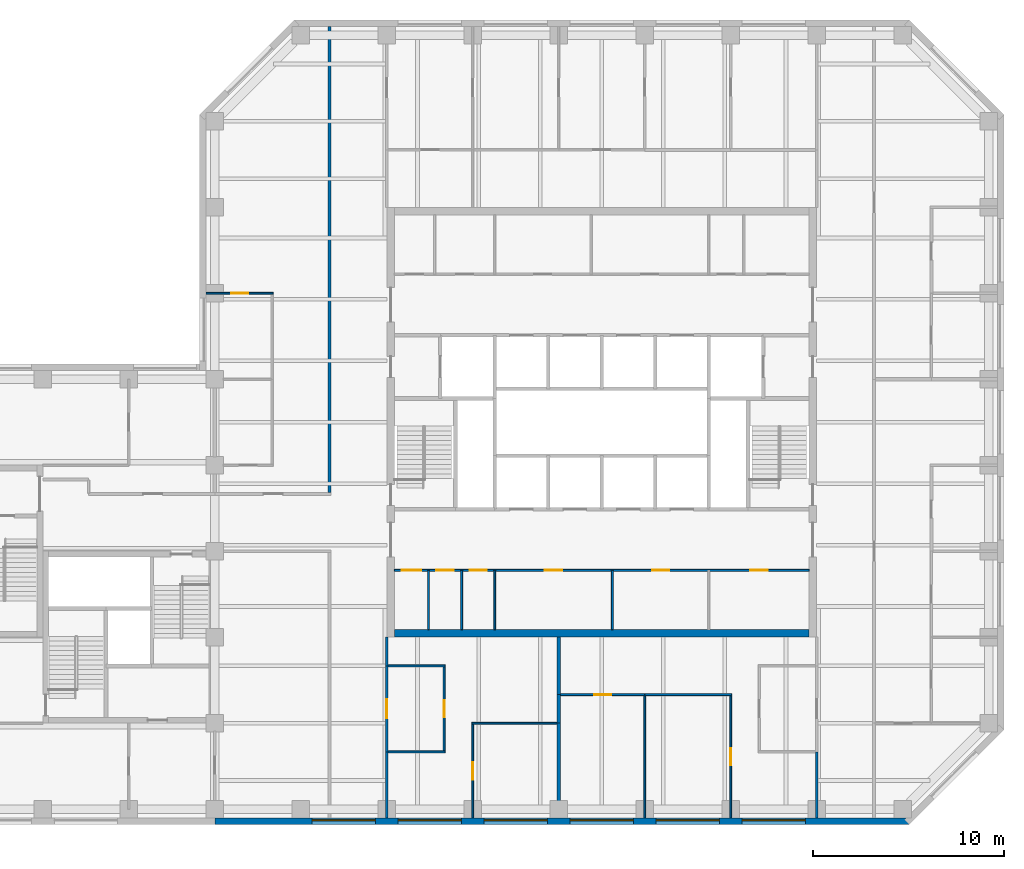
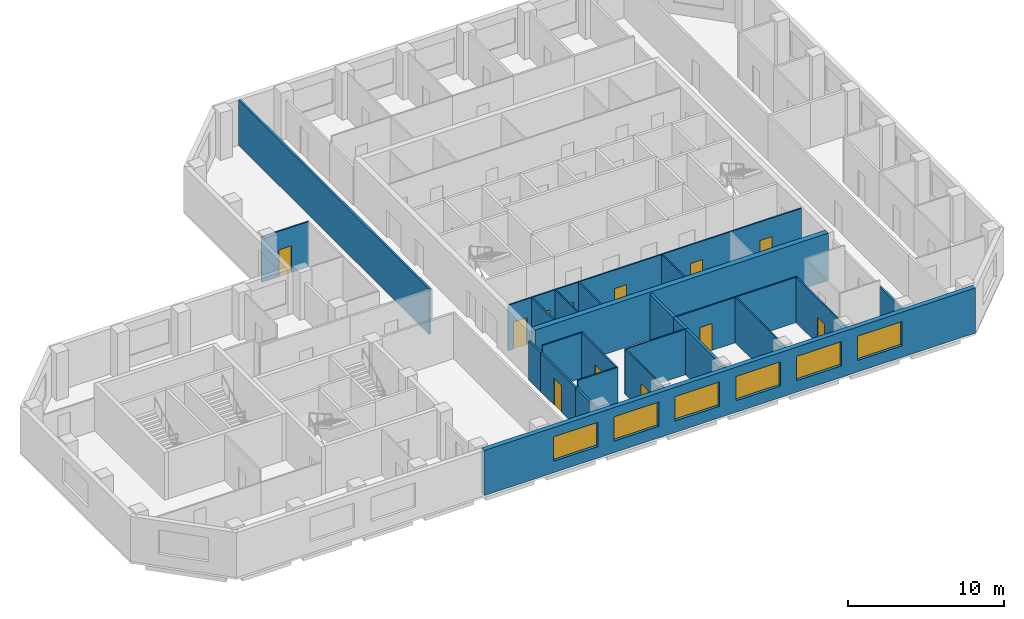
# One storey, part 4 of 9: 25 walls, 12 doors, 6 windows, 18 openings.
"""IFC4 building model written with IfcOpenShell, lengths in metres."""

import ifcopenshell
import ifcopenshell.guid

model = None  # the IFC model being written
_history = None  # IfcOwnerHistory: only IFC2X3 demands one
_inside = {}  # id of a spatial element -> (the spatial element, [elements in it])
_under = {}  # id of a project, library or spatial element -> (it, [spatial elements below it])
_declared = {}  # id of a project -> (the project, [libraries it declares])
_typed = {}  # id of a type object -> (the type object, [elements of that type])
_made_of = {}  # id of a material, layer set ... -> (it, [elements and type objects made of it])


def new_model(schema):
    """Start an empty IFC model of exactly this schema.

    Asked for "IFC4X3", IfcOpenShell would pick the latest addendum, in which some entities
    have other attributes; the version numbers below select the first issue.
    IFC2X3 requires an IfcOwnerHistory on every rooted entity: one is made here for all.
    """
    global model, _history
    if schema == "IFC4X3":
        model = ifcopenshell.file(schema_version=(4, 3, 0, 0))
    else:
        model = ifcopenshell.file(schema=schema)
    _inside.clear()
    _under.clear()
    _declared.clear()
    _typed.clear()
    _made_of.clear()
    _history = None
    if model.schema == "IFC2X3":
        org = make("IfcOrganization", Name="unknown")
        user = make(
            "IfcPersonAndOrganization",
            ThePerson=make("IfcPerson", FamilyName="unknown"),
            TheOrganization=org,
        )
        app = make(
            "IfcApplication",
            ApplicationDeveloper=org,
            Version="unknown",
            ApplicationFullName="unknown",
            ApplicationIdentifier="unknown",
        )
        _history = make(
            "IfcOwnerHistory",
            OwningUser=user,
            OwningApplication=app,
            ChangeAction="ADDED",
            CreationDate=0,
        )
    return model


def make(cls, **values):
    """One entity of the class cls with the attributes given. An attribute that is None is left unset."""
    return model.create_entity(
        cls, **{name: value for name, value in values.items() if value is not None}
    )


def rooted(cls, **values):
    """An entity with a GlobalId (a new one), such as an element, a storey or a relation."""
    return make(cls, GlobalId=ifcopenshell.guid.new(), OwnerHistory=_history, **values)


def si_unit(unit_type, name, prefix=None):
    """IfcSIUnit, for example si_unit("LENGTHUNIT", "METRE", prefix="MILLI")."""
    return make("IfcSIUnit", UnitType=unit_type, Prefix=prefix, Name=name)


def assignment(units):
    """IfcUnitAssignment: the units of a project."""
    return None if units is None else make("IfcUnitAssignment", Units=units)


def point(xyz):
    """IfcCartesianPoint."""
    return None if xyz is None else make("IfcCartesianPoint", Coordinates=xyz)


def direction(xyz):
    """IfcDirection."""
    return None if xyz is None else make("IfcDirection", DirectionRatios=xyz)


def frame(location, z_axis=None, x_axis=None):
    """IfcAxis2Placement3D, a coordinate frame: its origin and axes. An axis left out is left unset."""
    return make(
        "IfcAxis2Placement3D",
        Location=point(location),
        Axis=direction(z_axis),
        RefDirection=direction(x_axis),
    )


def frame_2d(location, x_axis=None):
    """IfcAxis2Placement2D, a coordinate frame in the plane: its origin and x axis."""
    return make(
        "IfcAxis2Placement2D", Location=point(location), RefDirection=direction(x_axis)
    )


def origin():
    """The frame at (0, 0, 0) with its axes left unset."""
    return frame((0.0, 0.0, 0.0))


def place(relative_to, where):
    """IfcLocalPlacement: puts the frame where relative to a parent placement (None: the world)."""
    return make(
        "IfcLocalPlacement", PlacementRelTo=relative_to, RelativePlacement=where
    )


def context(
    kind, dimensions, precision=None, world=None, true_north=None, identifier=None
):
    """IfcGeometricRepresentationContext, for example the 3D "Model" context."""
    return make(
        "IfcGeometricRepresentationContext",
        ContextIdentifier=identifier,
        ContextType=kind,
        CoordinateSpaceDimension=dimensions,
        Precision=precision,
        WorldCoordinateSystem=world,
        TrueNorth=true_north,
    )


def subcontext(parent, identifier, kind, view, scale=None):
    """IfcGeometricRepresentationSubContext, for example "Body" below "Model"."""
    return make(
        "IfcGeometricRepresentationSubContext",
        ContextIdentifier=identifier,
        ContextType=kind,
        ParentContext=parent,
        TargetScale=scale,
        TargetView=view,
    )


def project(units=None, contexts=None):
    """IfcProject with its units and contexts."""
    return rooted(
        "IfcProject",
        Name="project",
        RepresentationContexts=contexts,
        UnitsInContext=assignment(units),
    )


def spatial(cls, under=None, at=None, **own):
    """A site, building, storey or space (cls), placed at a placement, below another one or the project."""
    s = rooted(cls, ObjectPlacement=at, **own)
    if under is not None:
        _under.setdefault(under.id(), (under, []))[1].append(s)
    return s


def profile(cls, at=None, kind="AREA", **sizes):
    """A parametric profile (cls). Its sizes go by their IFC names, for example OverallWidth=200.0."""
    return make(cls, ProfileType=kind, Position=at, **sizes)


def rectangle(**sizes):
    """IfcRectangleProfileDef."""
    return profile("IfcRectangleProfileDef", **sizes)


def extrude(swept, where, along, depth):
    """IfcExtrudedAreaSolid: the profile swept, set in the frame where, extruded along a direction by depth."""
    return make(
        "IfcExtrudedAreaSolid",
        SweptArea=swept,
        Position=where,
        ExtrudedDirection=direction(along),
        Depth=depth,
    )


def shape(context_of_items, identifier, shape_type, items):
    """IfcShapeRepresentation: the items that make up one representation, for example the "Body"."""
    return make(
        "IfcShapeRepresentation",
        ContextOfItems=context_of_items,
        RepresentationIdentifier=identifier,
        RepresentationType=shape_type,
        Items=items,
    )


def material(Name=None, Category=None):
    """IfcMaterial."""
    return make("IfcMaterial", Name=Name, Category=Category)


def layer(
    of_material, thickness, ventilated=None, Name=None, Category=None, Priority=None
):
    """IfcMaterialLayer: one layer of a wall or slab, of a material (None: an air gap)."""
    return make(
        "IfcMaterialLayer",
        Material=of_material,
        LayerThickness=thickness,
        IsVentilated=ventilated,
        Name=Name,
        Category=Category,
        Priority=Priority,
    )


def layer_set(layers, Name=None):
    """IfcMaterialLayerSet."""
    return make("IfcMaterialLayerSet", MaterialLayers=layers, LayerSetName=Name)


def constituent(of_material, Name=None, Category=None, fraction=None):
    """IfcMaterialConstituent: one of the materials an element consists of."""
    return make(
        "IfcMaterialConstituent",
        Name=Name,
        Material=of_material,
        Fraction=fraction,
        Category=Category,
    )


def constituent_set(constituents=None, Name=None):
    """IfcMaterialConstituentSet."""
    return make(
        "IfcMaterialConstituentSet", Name=Name, MaterialConstituents=constituents
    )


def made_of(thing, what):
    """Note that an element or type object is made of a material, layer set ...; save() writes the relation."""
    if what is not None:
        _made_of.setdefault(what.id(), (what, []))[1].append(thing)
    return thing


def type_object(cls, material=None, **own):
    """A type object (cls), such as IfcWallType, which elements share."""
    return made_of(rooted(cls, **own), material)


def element(
    cls,
    number,
    at=None,
    inside=None,
    cuts=None,
    type_object=None,
    material=None,
    context=None,
    identifier="Body",
    shape_type=None,
    held_by="IfcProductDefinitionShape",
    body=None,
    shapes=None,
    **own,
):
    """One element of the class cls, such as IfcWall. Its Tag is "e" and its number.

    at: its placement. inside: the storey or other place that contains it. cuts: it is an
    opening in that element (IfcRelVoidsElement). A single representation is given by context,
    identifier, shape_type and body (its items); several are given by shapes. held_by: the class
    of the entity that holds the representations. save() writes the other relations.
    """
    e = rooted(cls, Tag="e%d" % number, ObjectPlacement=at, **own)
    if body is not None:
        shapes = [shape(context, identifier, shape_type, body)]
    if shapes is not None:
        e.Representation = make(held_by, Representations=shapes)
    if inside is not None:
        _inside.setdefault(inside.id(), (inside, []))[1].append(e)
    if cuts is not None:
        rooted(
            "IfcRelVoidsElement", RelatingBuildingElement=cuts, RelatedOpeningElement=e
        )
    if type_object is not None:
        _typed.setdefault(type_object.id(), (type_object, []))[1].append(e)
    return made_of(e, material)


def fill(opening, filler):
    """IfcRelFillsElement: the door or window that sits in an opening."""
    return rooted(
        "IfcRelFillsElement",
        RelatingOpeningElement=opening,
        RelatedBuildingElement=filler,
    )


def aggregate(whole, parts):
    """IfcRelAggregates: a whole, such as a stair, and the parts it consists of."""
    return rooted("IfcRelAggregates", RelatingObject=whole, RelatedObjects=parts)


def save(model, path):
    """Write the relations noted so far, then the file.

    IfcRelAggregates (storeys below a building ...), IfcRelContainedInSpatialStructure (elements
    in a storey), IfcRelDefinesByType, IfcRelAssociatesMaterial and IfcRelDeclares: one each for
    every whole, place, type object, material and project.
    """
    for whole, parts in _under.values():
        aggregate(whole, parts)
    for where, things in _inside.values():
        rooted(
            "IfcRelContainedInSpatialStructure",
            RelatedElements=things,
            RelatingStructure=where,
        )
    for kind, things in _typed.values():
        rooted("IfcRelDefinesByType", RelatedObjects=things, RelatingType=kind)
    for what, things in _made_of.values():
        rooted("IfcRelAssociatesMaterial", RelatedObjects=things, RelatingMaterial=what)
    for by, libraries in _declared.values():
        rooted("IfcRelDeclares", RelatingContext=by, RelatedDefinitions=libraries)
    model.write(path)


model = new_model("IFC4")

# Units and contexts
model_context = context("Model", 3, precision=1e-05, world=origin(), true_north=direction((0.0, 1.0)))
body_context = subcontext(model_context, "Body", "Model", "MODEL_VIEW")
ifc_project = project(units=[si_unit("LENGTHUNIT", "METRE"), si_unit("AREAUNIT", "SQUARE_METRE"), si_unit("VOLUMEUNIT", "CUBIC_METRE"), si_unit("PLANEANGLEUNIT", "RADIAN"), si_unit("MASSUNIT", "GRAM", prefix="KILO")], contexts=[model_context])

# Site, building, storey
site_placement = place(None, origin())
site = spatial("IfcSite", under=ifc_project, at=site_placement, CompositionType="ELEMENT")
building_placement = place(site_placement, origin())
building = spatial("IfcBuilding", under=site, at=building_placement, Name="Quoin Convention Tower", CompositionType="ELEMENT")
storey_placement = place(building_placement, frame((0.0, 0.0, 237.800048828125)))
storey = spatial("IfcBuildingStorey", under=building, at=storey_placement, Name="L62", CompositionType="ELEMENT", Elevation=237.800048828125)

# Wall, openings, windows
ifc_material_1 = material(Name="Brick masonry", Category="masonry")
ifc_layer_1 = layer(ifc_material_1, 0.35009765625)
ifc_layer_set_1 = layer_set([ifc_layer_1], Name="Brick masonry")
wall_type_1 = type_object("IfcWallType", Name="Brick facade wall", PredefinedType="STANDARD", material=ifc_layer_set_1)
wall_1_placement = place(storey_placement, frame((36.0, 39.875, 0.0), z_axis=(0.0, 0.0, 1.0), x_axis=(1.0, 0.0, 0.0)))
wall_1 = element("IfcWall", 1, at=wall_1_placement, inside=storey, type_object=wall_type_1, Name="fw-L62-36000_40500", PredefinedType="STANDARD", context=body_context, shape_type="SweptSolid", body=[
    extrude(rectangle(XDim=36.331298828125, YDim=0.35009765625, at=frame_2d((18.16552734375, 0.0))), origin(), (0.0, 0.0, 1.0), 3.52490234375),
])
opening_1_placement = place(wall_1_placement, frame((5.10009765625, 0.0, 0.89990234375)))
opening_1 = element("IfcOpeningElement", 2, at=opening_1_placement, cuts=wall_1, Name="Opening W-02", PredefinedType="OPENING", context=body_context, shape_type="SweptSolid", body=[
    extrude(rectangle(XDim=3.300048828125, YDim=1.89990234375, at=frame_2d((1.64990234375, 0.949951171875))), frame((0.0, 0.18505859375, 0.0), z_axis=(0.0, -1.0, 0.0), x_axis=(1.0, 0.0, 0.0)), (0.0, 0.0, 1.0), 0.3701171875),
])
opening_2_placement = place(wall_1_placement, frame((9.60009765625, 0.0, 0.89990234375)))
opening_2 = element("IfcOpeningElement", 3, at=opening_2_placement, cuts=wall_1, Name="Opening W-02", PredefinedType="OPENING", context=body_context, shape_type="SweptSolid", body=[
    extrude(rectangle(XDim=3.300048828125, YDim=1.89990234375, at=frame_2d((1.64990234375, 0.949951171875))), frame((0.0, 0.18505859375, 0.0), z_axis=(0.0, -1.0, 0.0), x_axis=(1.0, 0.0, 0.0)), (0.0, 0.0, 1.0), 0.3701171875),
])
opening_3_placement = place(wall_1_placement, frame((14.10009765625, 0.0, 0.89990234375)))
opening_3 = element("IfcOpeningElement", 4, at=opening_3_placement, cuts=wall_1, Name="Opening W-02", PredefinedType="OPENING", context=body_context, shape_type="SweptSolid", body=[
    extrude(rectangle(XDim=3.300048828125, YDim=1.89990234375, at=frame_2d((1.64990234375, 0.949951171875))), frame((0.0, 0.18505859375, 0.0), z_axis=(0.0, -1.0, 0.0), x_axis=(1.0, 0.0, 0.0)), (0.0, 0.0, 1.0), 0.3701171875),
])
opening_4_placement = place(wall_1_placement, frame((18.60009765625, 0.0, 0.89990234375)))
opening_4 = element("IfcOpeningElement", 5, at=opening_4_placement, cuts=wall_1, Name="Opening W-02", PredefinedType="OPENING", context=body_context, shape_type="SweptSolid", body=[
    extrude(rectangle(XDim=3.300048828125, YDim=1.89990234375, at=frame_2d((1.64990234375, 0.949951171875))), frame((0.0, 0.18505859375, 0.0), z_axis=(0.0, -1.0, 0.0), x_axis=(1.0, 0.0, 0.0)), (0.0, 0.0, 1.0), 0.3701171875),
])
opening_5_placement = place(wall_1_placement, frame((23.10009765625, 0.0, 0.89990234375)))
opening_5 = element("IfcOpeningElement", 6, at=opening_5_placement, cuts=wall_1, Name="Opening W-02", PredefinedType="OPENING", context=body_context, shape_type="SweptSolid", body=[
    extrude(rectangle(XDim=3.300048828125, YDim=1.89990234375, at=frame_2d((1.64990234375, 0.949951171875))), frame((0.0, 0.18505859375, 0.0), z_axis=(0.0, -1.0, 0.0), x_axis=(1.0, 0.0, 0.0)), (0.0, 0.0, 1.0), 0.3701171875),
])
opening_6_placement = place(wall_1_placement, frame((27.60009765625, 0.0, 0.89990234375)))
opening_6 = element("IfcOpeningElement", 7, at=opening_6_placement, cuts=wall_1, Name="Opening W-02", PredefinedType="OPENING", context=body_context, shape_type="SweptSolid", body=[
    extrude(rectangle(XDim=3.300048828125, YDim=1.89990234375, at=frame_2d((1.64990234375, 0.949951171875))), frame((0.0, 0.18505859375, 0.0), z_axis=(0.0, -1.0, 0.0), x_axis=(1.0, 0.0, 0.0)), (0.0, 0.0, 1.0), 0.3701171875),
])
ifc_material_2 = material(Name="Aluminium", Category="aluminium")
ifc_constituent_1 = constituent(ifc_material_2, Name="Frame")
ifc_material_3 = material(Name="Insulated glass", Category="glass")
ifc_constituent_2 = constituent(ifc_material_3, Name="Glazing")
ifc_constituent_set = constituent_set(constituents=[ifc_constituent_1, ifc_constituent_2], Name="Aluminium")
window_type = type_object("IfcWindowType", Name="Office window", PartitioningType="DOUBLE_PANEL_VERTICAL", PredefinedType="WINDOW", material=ifc_constituent_set)
window_1_placement = place(opening_1_placement, origin())
window_1 = element("IfcWindow", 8, at=window_1_placement, inside=storey, type_object=window_type, Name="win-L62-42750_39875", OverallHeight=1.89990234375, OverallWidth=3.300048828125, PartitioningType="SINGLE_PANEL", PredefinedType="WINDOW", context=body_context, shape_type="SweptSolid", body=[
    extrude(rectangle(XDim=3.300048828125, YDim=1.89990234375, at=frame_2d((1.64990234375, 0.949951171875))), frame((0.0, 0.0849609375, 0.0), z_axis=(0.0, -1.0, 0.0), x_axis=(1.0, 0.0, 0.0)), (0.0, 0.0, 1.0), 0.06005859375),
])
fill(opening_1, window_1)
window_2_placement = place(opening_2_placement, origin())
window_2 = element("IfcWindow", 9, at=window_2_placement, inside=storey, type_object=window_type, Name="win-L62-47250_39875", OverallHeight=1.89990234375, OverallWidth=3.300048828125, PartitioningType="SINGLE_PANEL", PredefinedType="WINDOW", context=body_context, shape_type="SweptSolid", body=[
    extrude(rectangle(XDim=3.300048828125, YDim=1.89990234375, at=frame_2d((1.64990234375, 0.949951171875))), frame((0.0, 0.0849609375, 0.0), z_axis=(0.0, -1.0, 0.0), x_axis=(1.0, 0.0, 0.0)), (0.0, 0.0, 1.0), 0.06005859375),
])
fill(opening_2, window_2)
window_3_placement = place(opening_3_placement, origin())
window_3 = element("IfcWindow", 10, at=window_3_placement, inside=storey, type_object=window_type, Name="win-L62-51750_39875", OverallHeight=1.89990234375, OverallWidth=3.300048828125, PartitioningType="SINGLE_PANEL", PredefinedType="WINDOW", context=body_context, shape_type="SweptSolid", body=[
    extrude(rectangle(XDim=3.300048828125, YDim=1.89990234375, at=frame_2d((1.64990234375, 0.949951171875))), frame((0.0, 0.0849609375, 0.0), z_axis=(0.0, -1.0, 0.0), x_axis=(1.0, 0.0, 0.0)), (0.0, 0.0, 1.0), 0.06005859375),
])
fill(opening_3, window_3)
window_4_placement = place(opening_4_placement, origin())
window_4 = element("IfcWindow", 11, at=window_4_placement, inside=storey, type_object=window_type, Name="win-L62-56250_39875", OverallHeight=1.89990234375, OverallWidth=3.300048828125, PartitioningType="SINGLE_PANEL", PredefinedType="WINDOW", context=body_context, shape_type="SweptSolid", body=[
    extrude(rectangle(XDim=3.300048828125, YDim=1.89990234375, at=frame_2d((1.64990234375, 0.949951171875))), frame((0.0, 0.0849609375, 0.0), z_axis=(0.0, -1.0, 0.0), x_axis=(1.0, 0.0, 0.0)), (0.0, 0.0, 1.0), 0.06005859375),
])
fill(opening_4, window_4)
window_5_placement = place(opening_5_placement, origin())
window_5 = element("IfcWindow", 12, at=window_5_placement, inside=storey, type_object=window_type, Name="win-L62-60750_39875", OverallHeight=1.89990234375, OverallWidth=3.300048828125, PartitioningType="SINGLE_PANEL", PredefinedType="WINDOW", context=body_context, shape_type="SweptSolid", body=[
    extrude(rectangle(XDim=3.300048828125, YDim=1.89990234375, at=frame_2d((1.64990234375, 0.949951171875))), frame((0.0, 0.0849609375, 0.0), z_axis=(0.0, -1.0, 0.0), x_axis=(1.0, 0.0, 0.0)), (0.0, 0.0, 1.0), 0.06005859375),
])
fill(opening_5, window_5)
window_6_placement = place(opening_6_placement, origin())
window_6 = element("IfcWindow", 13, at=window_6_placement, inside=storey, type_object=window_type, Name="win-L62-65250_39875", OverallHeight=1.89990234375, OverallWidth=3.300048828125, PartitioningType="SINGLE_PANEL", PredefinedType="WINDOW", context=body_context, shape_type="SweptSolid", body=[
    extrude(rectangle(XDim=3.300048828125, YDim=1.89990234375, at=frame_2d((1.64990234375, 0.949951171875))), frame((0.0, 0.0849609375, 0.0), z_axis=(0.0, -1.0, 0.0), x_axis=(1.0, 0.0, 0.0)), (0.0, 0.0, 1.0), 0.06005859375),
])
fill(opening_6, window_6)

# Wall, openings, doors
ifc_material_4 = material(Name="Plasterboard")
ifc_layer_2 = layer(ifc_material_4, 0.012451171875, Name="Finish")
ifc_material_5 = material(Name="Steel stud framing", Category="steel")
ifc_layer_3 = layer(ifc_material_5, 0.074951171875, Name="Structure")
ifc_layer_4 = layer(ifc_material_4, 0.012451171875, Name="Finish")
ifc_layer_set_2 = layer_set([ifc_layer_2, ifc_layer_3, ifc_layer_4], Name="Steel stud framing")
wall_type_2 = type_object("IfcWallType", Name="Core partition wall", PredefinedType="PARTITIONING", material=ifc_layer_set_2)
wall_2_placement = place(storey_placement, frame((45.39990234375, 53.0, 0.0), z_axis=(0.0, 0.0, 1.0), x_axis=(1.0, 0.0, 0.0)))
wall_2 = element("IfcWall", 14, at=wall_2_placement, inside=storey, type_object=wall_type_2, Name="cr-C1-L62-h3500_400", PredefinedType="PARTITIONING", context=body_context, shape_type="SweptSolid", body=[
    extrude(rectangle(XDim=21.7001953125, YDim=0.10009765625, at=frame_2d((10.85009765625, 0.0))), origin(), (0.0, 0.0, 1.0), 3.550048828125),
])
opening_7_placement = place(wall_2_placement, frame((18.625, 0.0, 0.0)))
opening_7 = element("IfcOpeningElement", 15, at=opening_7_placement, cuts=wall_2, Name="Opening DCV3-30", PredefinedType="OPENING", context=body_context, shape_type="SweptSolid", body=[
    extrude(rectangle(XDim=0.89990234375, YDim=2.10009765625, at=frame_2d((0.449951171875, 1.050048828125))), frame((0.0, 0.06005859375, 0.0), z_axis=(0.0, -1.0, 0.0), x_axis=(1.0, 0.0, 0.0)), (0.0, 0.0, 1.0), 0.1201171875),
])
opening_8_placement = place(wall_2_placement, frame((0.392578125, 0.0, 0.0)))
opening_8 = element("IfcOpeningElement", 16, at=opening_8_placement, cuts=wall_2, Name="Opening DCV3-21", PredefinedType="OPENING", context=body_context, shape_type="SweptSolid", body=[
    extrude(rectangle(XDim=1.0, YDim=2.10009765625, at=frame_2d((0.5, 1.050048828125))), frame((0.0, 0.06005859375, 0.0), z_axis=(0.0, -1.0, 0.0), x_axis=(1.0, 0.0, 0.0)), (0.0, 0.0, 1.0), 0.1201171875),
])
opening_9_placement = place(wall_2_placement, frame((2.201416015625, 0.0, 0.0)))
opening_9 = element("IfcOpeningElement", 17, at=opening_9_placement, cuts=wall_2, Name="Opening DCV3-22", PredefinedType="OPENING", context=body_context, shape_type="SweptSolid", body=[
    extrude(rectangle(XDim=0.89990234375, YDim=2.10009765625, at=frame_2d((0.449951171875, 1.050048828125))), frame((0.0, 0.06005859375, 0.0), z_axis=(0.0, -1.0, 0.0), x_axis=(1.0, 0.0, 0.0)), (0.0, 0.0, 1.0), 0.1201171875),
])
opening_10_placement = place(wall_2_placement, frame((3.93359375, 0.0, 0.0)))
opening_10 = element("IfcOpeningElement", 18, at=opening_10_placement, cuts=wall_2, Name="Opening DCV3-23", PredefinedType="OPENING", context=body_context, shape_type="SweptSolid", body=[
    extrude(rectangle(XDim=0.89990234375, YDim=2.10009765625, at=frame_2d((0.449951171875, 1.050048828125))), frame((0.0, 0.06005859375, 0.0), z_axis=(0.0, -1.0, 0.0), x_axis=(1.0, 0.0, 0.0)), (0.0, 0.0, 1.0), 0.1201171875),
])
opening_11_placement = place(wall_2_placement, frame((7.8798828125, 0.0, 0.0)))
opening_11 = element("IfcOpeningElement", 19, at=opening_11_placement, cuts=wall_2, Name="Opening DCV3-25", PredefinedType="OPENING", context=body_context, shape_type="SweptSolid", body=[
    extrude(rectangle(XDim=0.89990234375, YDim=2.10009765625, at=frame_2d((0.449951171875, 1.050048828125))), frame((0.0, 0.06005859375, 0.0), z_axis=(0.0, -1.0, 0.0), x_axis=(1.0, 0.0, 0.0)), (0.0, 0.0, 1.0), 0.1201171875),
])
opening_12_placement = place(wall_2_placement, frame((13.47998046875, 0.0, 0.0)))
opening_12 = element("IfcOpeningElement", 20, at=opening_12_placement, cuts=wall_2, Name="Opening DCV3-28", PredefinedType="OPENING", context=body_context, shape_type="SweptSolid", body=[
    extrude(rectangle(XDim=0.89990234375, YDim=2.10009765625, at=frame_2d((0.449951171875, 1.050048828125))), frame((0.0, 0.06005859375, 0.0), z_axis=(0.0, -1.0, 0.0), x_axis=(1.0, 0.0, 0.0)), (0.0, 0.0, 1.0), 0.1201171875),
])
ifc_material_6 = material(Name="Steel door leaf", Category="steel")
door_type_1 = type_object("IfcDoorType", Name="Core room door 1000 x 2100", OperationType="SINGLE_SWING_LEFT", PredefinedType="DOOR", material=ifc_material_6)
door_1_placement = place(opening_8_placement, frame((1.0, 0.0, 0.0), z_axis=(0.0, 0.0, 1.0), x_axis=(-1.0, 0.0, 0.0)))
door_1 = element("IfcDoor", 21, at=door_1_placement, inside=storey, type_object=door_type_1, Name="cd-C1-L62-CSW0-lobA-CD6212", OperationType="SINGLE_SWING_LEFT", OverallHeight=2.10009765625, OverallWidth=1.0, PredefinedType="DOOR", context=body_context, shape_type="SweptSolid", body=[
    extrude(rectangle(XDim=1.0, YDim=2.10009765625, at=frame_2d((0.5, 1.050048828125))), frame((0.0, 0.02490234375, 0.0), z_axis=(0.0, -1.0, 0.0), x_axis=(1.0, 0.0, 0.0)), (0.0, 0.0, 1.0), 0.050048828125),
])
fill(opening_8, door_1)
door_type_2 = type_object("IfcDoorType", Name="Core room door 900 x 2100", OperationType="SINGLE_SWING_LEFT", PredefinedType="DOOR", material=ifc_material_6)
door_2_placement = place(opening_7_placement, frame((0.89990234375, 0.0, 0.0), z_axis=(0.0, 0.0, 1.0), x_axis=(-1.0, 0.0, 0.0)))
door_2 = element("IfcDoor", 22, at=door_2_placement, inside=storey, type_object=door_type_2, Name="cd-C1-L62-CSE0-lobA-CD6211", OperationType="SINGLE_SWING_RIGHT", OverallHeight=2.10009765625, OverallWidth=0.89990234375, PredefinedType="DOOR", context=body_context, shape_type="SweptSolid", body=[
    extrude(rectangle(XDim=0.89990234375, YDim=2.10009765625, at=frame_2d((0.449951171875, 1.050048828125))), frame((0.0, 0.02490234375, 0.0), z_axis=(0.0, -1.0, 0.0), x_axis=(1.0, 0.0, 0.0)), (0.0, 0.0, 1.0), 0.050048828125),
])
fill(opening_7, door_2)
door_3_placement = place(opening_9_placement, frame((0.89990234375, 0.0, 0.0), z_axis=(0.0, 0.0, 1.0), x_axis=(-1.0, 0.0, 0.0)))
door_3 = element("IfcDoor", 23, at=door_3_placement, inside=storey, type_object=door_type_2, Name="cd-C1-L62-CSW1-lobA-CD6213", OperationType="SINGLE_SWING_LEFT", OverallHeight=2.10009765625, OverallWidth=0.89990234375, PredefinedType="DOOR", context=body_context, shape_type="SweptSolid", body=[
    extrude(rectangle(XDim=0.89990234375, YDim=2.10009765625, at=frame_2d((0.449951171875, 1.050048828125))), frame((0.0, 0.02490234375, 0.0), z_axis=(0.0, -1.0, 0.0), x_axis=(1.0, 0.0, 0.0)), (0.0, 0.0, 1.0), 0.050048828125),
])
fill(opening_9, door_3)
door_4_placement = place(opening_10_placement, frame((0.89990234375, 0.0, 0.0), z_axis=(0.0, 0.0, 1.0), x_axis=(-1.0, 0.0, 0.0)))
door_4 = element("IfcDoor", 24, at=door_4_placement, inside=storey, type_object=door_type_2, Name="cd-C1-L62-CSW2-lobA-CD6214", OperationType="SINGLE_SWING_LEFT", OverallHeight=2.10009765625, OverallWidth=0.89990234375, PredefinedType="DOOR", context=body_context, shape_type="SweptSolid", body=[
    extrude(rectangle(XDim=0.89990234375, YDim=2.10009765625, at=frame_2d((0.449951171875, 1.050048828125))), frame((0.0, 0.02490234375, 0.0), z_axis=(0.0, -1.0, 0.0), x_axis=(1.0, 0.0, 0.0)), (0.0, 0.0, 1.0), 0.050048828125),
])
fill(opening_10, door_4)
door_5_placement = place(opening_11_placement, frame((0.89990234375, 0.0, 0.0), z_axis=(0.0, 0.0, 1.0), x_axis=(-1.0, 0.0, 0.0)))
door_5 = element("IfcDoor", 25, at=door_5_placement, inside=storey, type_object=door_type_2, Name="cd-C1-L62-F10-lobA-CD6215", OperationType="SINGLE_SWING_LEFT", OverallHeight=2.10009765625, OverallWidth=0.89990234375, PredefinedType="DOOR", context=body_context, shape_type="SweptSolid", body=[
    extrude(rectangle(XDim=0.89990234375, YDim=2.10009765625, at=frame_2d((0.449951171875, 1.050048828125))), frame((0.0, 0.02490234375, 0.0), z_axis=(0.0, -1.0, 0.0), x_axis=(1.0, 0.0, 0.0)), (0.0, 0.0, 1.0), 0.050048828125),
])
fill(opening_11, door_5)
door_6_placement = place(opening_12_placement, frame((0.89990234375, 0.0, 0.0), z_axis=(0.0, 0.0, 1.0), x_axis=(-1.0, 0.0, 0.0)))
door_6 = element("IfcDoor", 26, at=door_6_placement, inside=storey, type_object=door_type_2, Name="cd-C1-L62-F11-lobA-CD6216", OperationType="SINGLE_SWING_LEFT", OverallHeight=2.10009765625, OverallWidth=0.89990234375, PredefinedType="DOOR", context=body_context, shape_type="SweptSolid", body=[
    extrude(rectangle(XDim=0.89990234375, YDim=2.10009765625, at=frame_2d((0.449951171875, 1.050048828125))), frame((0.0, 0.02490234375, 0.0), z_axis=(0.0, -1.0, 0.0), x_axis=(1.0, 0.0, 0.0)), (0.0, 0.0, 1.0), 0.050048828125),
])
fill(opening_12, door_6)

# Walls
for number, where, z_axis, x_axis, name in (
    (27, (47.18505859375, 49.89990234375, 0.0), (0.0, 0.0, 1.0), (0.0, 1.0, 0.0), "cr-C1-L62-v2185_400"),
    (28, (48.91748046875, 49.89990234375, 0.0), (0.0, 0.0, 1.0), (0.0, 1.0, 0.0), "cr-C1-L62-v3918_400"),
    (29, (50.64990234375, 49.89990234375, 0.0), (0.0, 0.0, 1.0), (0.0, 1.0, 0.0), "cr-C1-L62-v5650_400"),
    (30, (56.81005859375, 49.89990234375, 0.0), (0.0, 0.0, 1.0), (0.0, 1.0, 0.0), "cr-C1-L62-v11810_400"),
):
    element("IfcWall", number, at=place(storey_placement, frame(where, z_axis=z_axis, x_axis=x_axis)), inside=storey, type_object=wall_type_2, Name=name, PredefinedType="PARTITIONING", context=body_context, shape_type="SweptSolid", body=[
        extrude(rectangle(XDim=3.10009765625, YDim=0.10009765625, at=frame_2d((1.550048828125, 0.0))), origin(), (0.0, 0.0, 1.0), 3.550048828125),
    ])
ifc_layer_5 = layer(ifc_material_4, 0.012451171875, Name="Finish")
ifc_layer_6 = layer(ifc_material_5, 0.125, Name="Structure")
ifc_layer_7 = layer(ifc_material_4, 0.012451171875, Name="Finish")
ifc_layer_set_3 = layer_set([ifc_layer_5, ifc_layer_6, ifc_layer_7], Name="Steel stud framing")
wall_type_3 = type_object("IfcWallType", Name="Corridor wall 150", PredefinedType="PARTITIONING", material=ifc_layer_set_3)
wall_3_placement = place(storey_placement, frame((42.0, 57.074951171875, 0.0), z_axis=(0.0, 0.0, 1.0), x_axis=(0.0, 1.0, 0.0)))
element("IfcWall", 31, at=wall_3_placement, inside=storey, type_object=wall_type_3, Name="pw-L62-062", PredefinedType="PARTITIONING", context=body_context, shape_type="SweptSolid", body=[
    extrude(rectangle(XDim=24.375, YDim=0.14990234375, at=frame_2d((12.1875, 0.0))), origin(), (0.0, 0.0, 1.0), 3.550048828125),
])
ifc_layer_8 = layer(ifc_material_4, 0.012451171875, Name="Finish")
ifc_layer_9 = layer(ifc_material_5, 0.125, Name="Structure")
ifc_layer_10 = layer(ifc_material_4, 0.012451171875, Name="Finish")
ifc_layer_set_4 = layer_set([ifc_layer_8, ifc_layer_9, ifc_layer_10], Name="Steel stud framing")
wall_type_4 = type_object("IfcWallType", Name="Corridor wall 150 under beam 528", PredefinedType="PARTITIONING", material=ifc_layer_set_4)
for number, where, z_axis, x_axis, name in (
    (32, (45.0, 40.050048828125, 0.0), (0.0, 0.0, 1.0), (0.0, 1.0, 0.0), "pw-L62-036"),
    (33, (67.5, 40.050048828125, 0.0), (0.0, 0.0, 1.0), (0.0, 1.0, 0.0), "pw-L62-041"),
):
    element("IfcWall", number, at=place(storey_placement, frame(where, z_axis=z_axis, x_axis=x_axis)), inside=storey, type_object=wall_type_4, Name=name, PredefinedType="PARTITIONING", context=body_context, shape_type="SweptSolid", body=[
        extrude(rectangle(XDim=3.449951171875, YDim=0.14990234375, at=frame_2d((1.72509765625, 0.0))), origin(), (0.0, 0.0, 1.0), 3.02197265625),
    ])

# Wall, opening, door
wall_4_placement = place(storey_placement, frame((45.0, 43.5, 0.0), z_axis=(0.0, 0.0, 1.0), x_axis=(0.0, 1.0, 0.0)))
wall_4 = element("IfcWall", 34, at=wall_4_placement, inside=storey, type_object=wall_type_4, Name="pw-L62-044", PredefinedType="PARTITIONING", context=body_context, shape_type="SweptSolid", body=[
    extrude(rectangle(XDim=4.5, YDim=0.14990234375, at=frame_2d((2.25, 0.0))), origin(), (0.0, 0.0, 1.0), 3.02197265625),
])
opening_13_placement = place(wall_4_placement, frame((1.75, 0.0, 0.0)))
opening_13 = element("IfcOpeningElement", 35, at=opening_13_placement, cuts=wall_4, Name="Opening DOH11-12", PredefinedType="OPENING", context=body_context, shape_type="SweptSolid", body=[
    extrude(rectangle(XDim=1.0, YDim=2.10009765625, at=frame_2d((0.5, 1.050048828125))), frame((0.0, 0.0849609375, 0.0), z_axis=(0.0, -1.0, 0.0), x_axis=(1.0, 0.0, 0.0)), (0.0, 0.0, 1.0), 0.169921875),
])
door_type_3 = type_object("IfcDoorType", Name="Tenancy entrance door 1000 x 2100", OperationType="DOUBLE_DOOR_SINGLE_SWING", PredefinedType="DOOR", material=ifc_material_6)
door_7_placement = place(opening_13_placement, frame((1.0, 0.0, 0.0), z_axis=(0.0, 0.0, 1.0), x_axis=(-1.0, 0.0, 0.0)))
door_7 = element("IfcDoor", 36, at=door_7_placement, inside=storey, type_object=door_type_3, Name="dr-L62-10", OperationType="DOUBLE_DOOR_SINGLE_SWING", OverallHeight=2.10009765625, OverallWidth=1.0, PredefinedType="DOOR", context=body_context, shape_type="SweptSolid", body=[
    extrude(rectangle(XDim=1.0, YDim=2.10009765625, at=frame_2d((0.5, 1.050048828125))), frame((0.0, 0.02490234375, 0.0), z_axis=(0.0, -1.0, 0.0), x_axis=(1.0, 0.0, 0.0)), (0.0, 0.0, 1.0), 0.050048828125),
])
fill(opening_13, door_7)

# Walls
wall_5_placement = place(storey_placement, frame((45.0, 48.0, 0.0), z_axis=(0.0, 0.0, 1.0), x_axis=(0.0, 1.0, 0.0)))
element("IfcWall", 37, at=wall_5_placement, inside=storey, type_object=wall_type_4, Name="pw-L62-056", PredefinedType="PARTITIONING", context=body_context, shape_type="SweptSolid", body=[
    extrude(rectangle(XDim=1.5, YDim=0.14990234375, at=frame_2d((0.75, 0.0))), origin(), (0.0, 0.0, 1.0), 3.02197265625),
])
ifc_material_7 = material(Name="Concrete C50", Category="concrete")
ifc_layer_11 = layer(ifc_material_7, 0.39990234375)
ifc_layer_set_5 = layer_set([ifc_layer_11], Name="Concrete C50")
wall_type_5 = type_object("IfcWallType", Name="RC CORE WALL 400 C50", PredefinedType="SHEAR", material=ifc_layer_set_5)
wall_6_placement = place(storey_placement, frame((45.39990234375, 49.699951171875, 0.0), z_axis=(0.0, 0.0, 1.0), x_axis=(1.0, 0.0, 0.0)))
element("IfcWall", 38, at=wall_6_placement, inside=storey, type_object=wall_type_5, Name="cwl-C1-L62-S", PredefinedType="SHEAR", context=body_context, shape_type="SweptSolid", body=[
    extrude(rectangle(XDim=21.7001953125, YDim=0.39990234375, at=frame_2d((10.85009765625, 0.0))), origin(), (0.0, 0.0, 1.0), 3.699951171875),
])
ifc_layer_12 = layer(ifc_material_4, 0.012451171875, Name="Finish")
ifc_layer_13 = layer(ifc_material_5, 0.074951171875, Name="Structure")
ifc_layer_14 = layer(ifc_material_4, 0.012451171875, Name="Finish")
ifc_layer_set_6 = layer_set([ifc_layer_12, ifc_layer_13, ifc_layer_14], Name="Steel stud framing")
wall_type_6 = type_object("IfcWallType", Name="Stud partition 100", PredefinedType="PARTITIONING", material=ifc_layer_set_6)
wall_7_placement = place(storey_placement, frame((45.074951171875, 43.5, 0.0), z_axis=(0.0, 0.0, 1.0), x_axis=(1.0, 0.0, 0.0)))
element("IfcWall", 39, at=wall_7_placement, inside=storey, type_object=wall_type_6, Name="pw-L62-001", PredefinedType="PARTITIONING", context=body_context, shape_type="SweptSolid", body=[
    extrude(rectangle(XDim=2.97509765625, YDim=0.10009765625, at=frame_2d((1.487548828125, 0.0))), origin(), (0.0, 0.0, 1.0), 3.550048828125),
])
wall_8_placement = place(storey_placement, frame((49.449951171875, 45.0, 0.0), z_axis=(0.0, 0.0, 1.0), x_axis=(1.0, 0.0, 0.0)))
element("IfcWall", 40, at=wall_8_placement, inside=storey, type_object=wall_type_6, Name="pw-L62-005", PredefinedType="PARTITIONING", context=body_context, shape_type="SweptSolid", body=[
    extrude(rectangle(XDim=4.449951171875, YDim=0.10009765625, at=frame_2d((2.22509765625, 0.0))), origin(), (0.0, 0.0, 1.0), 3.550048828125),
])

# Wall, opening, door
wall_9_placement = place(storey_placement, frame((54.10009765625, 46.5, 0.0), z_axis=(0.0, 0.0, 1.0), x_axis=(1.0, 0.0, 0.0)))
wall_9 = element("IfcWall", 41, at=wall_9_placement, inside=storey, type_object=wall_type_6, Name="pw-L62-009", PredefinedType="PARTITIONING", context=body_context, shape_type="SweptSolid", body=[
    extrude(rectangle(XDim=4.39990234375, YDim=0.10009765625, at=frame_2d((2.199951171875, 0.0))), origin(), (0.0, 0.0, 1.0), 3.550048828125),
])
opening_14_placement = place(wall_9_placement, frame((1.75, 0.0, 0.0)))
opening_14 = element("IfcOpeningElement", 42, at=opening_14_placement, cuts=wall_9, Name="Opening DOH11-02", PredefinedType="OPENING", context=body_context, shape_type="SweptSolid", body=[
    extrude(rectangle(XDim=0.89990234375, YDim=2.10009765625, at=frame_2d((0.449951171875, 1.050048828125))), frame((0.0, 0.06005859375, 0.0), z_axis=(0.0, -1.0, 0.0), x_axis=(1.0, 0.0, 0.0)), (0.0, 0.0, 1.0), 0.1201171875),
])
door_type_4 = type_object("IfcDoorType", Name="Office door 900 x 2100", OperationType="SINGLE_SWING_RIGHT", PredefinedType="DOOR", material=ifc_material_6)
door_8_placement = place(opening_14_placement, origin())
door_8 = element("IfcDoor", 43, at=door_8_placement, inside=storey, type_object=door_type_4, Name="dr-L62-15", OperationType="SINGLE_SWING_RIGHT", OverallHeight=2.10009765625, OverallWidth=0.89990234375, PredefinedType="DOOR", context=body_context, shape_type="SweptSolid", body=[
    extrude(rectangle(XDim=0.89990234375, YDim=2.10009765625, at=frame_2d((0.449951171875, 1.050048828125))), frame((0.0, 0.02490234375, 0.0), z_axis=(0.0, -1.0, 0.0), x_axis=(1.0, 0.0, 0.0)), (0.0, 0.0, 1.0), 0.050048828125),
])
fill(opening_14, door_8)

# Walls
wall_10_placement = place(storey_placement, frame((58.5, 46.5, 0.0), z_axis=(0.0, 0.0, 1.0), x_axis=(1.0, 0.0, 0.0)))
element("IfcWall", 44, at=wall_10_placement, inside=storey, type_object=wall_type_6, Name="pw-L62-010", PredefinedType="PARTITIONING", context=body_context, shape_type="SweptSolid", body=[
    extrude(rectangle(XDim=4.550048828125, YDim=0.10009765625, at=frame_2d((2.27490234375, 0.0))), origin(), (0.0, 0.0, 1.0), 3.550048828125),
])
wall_11_placement = place(storey_placement, frame((45.074951171875, 48.0, 0.0), z_axis=(0.0, 0.0, 1.0), x_axis=(1.0, 0.0, 0.0)))
element("IfcWall", 45, at=wall_11_placement, inside=storey, type_object=wall_type_6, Name="pw-L62-011", PredefinedType="PARTITIONING", context=body_context, shape_type="SweptSolid", body=[
    extrude(rectangle(XDim=2.97509765625, YDim=0.10009765625, at=frame_2d((1.487548828125, 0.0))), origin(), (0.0, 0.0, 1.0), 3.550048828125),
])

# Wall, opening, door
wall_12_placement = place(storey_placement, frame((35.550048828125, 67.5, 0.0), z_axis=(0.0, 0.0, 1.0), x_axis=(1.0, 0.0, 0.0)))
wall_12 = element("IfcWall", 46, at=wall_12_placement, inside=storey, type_object=wall_type_6, Name="pw-L62-026", PredefinedType="PARTITIONING", context=body_context, shape_type="SweptSolid", body=[
    extrude(rectangle(XDim=3.5, YDim=0.10009765625, at=frame_2d((1.75, 0.0))), origin(), (0.0, 0.0, 1.0), 3.550048828125),
])
opening_15_placement = place(wall_12_placement, frame((1.300048828125, 0.0, 0.0)))
opening_15 = element("IfcOpeningElement", 47, at=opening_15_placement, cuts=wall_12, Name="Opening DOH11-06", PredefinedType="OPENING", context=body_context, shape_type="SweptSolid", body=[
    extrude(rectangle(XDim=0.89990234375, YDim=2.10009765625, at=frame_2d((0.449951171875, 1.050048828125))), frame((0.0, 0.06005859375, 0.0), z_axis=(0.0, -1.0, 0.0), x_axis=(1.0, 0.0, 0.0)), (0.0, 0.0, 1.0), 0.1201171875),
])
door_9_placement = place(opening_15_placement, origin())
door_9 = element("IfcDoor", 48, at=door_9_placement, inside=storey, type_object=door_type_4, Name="dr-L62-09", OperationType="SINGLE_SWING_RIGHT", OverallHeight=2.10009765625, OverallWidth=0.89990234375, PredefinedType="DOOR", context=body_context, shape_type="SweptSolid", body=[
    extrude(rectangle(XDim=0.89990234375, YDim=2.10009765625, at=frame_2d((0.449951171875, 1.050048828125))), frame((0.0, 0.02490234375, 0.0), z_axis=(0.0, -1.0, 0.0), x_axis=(1.0, 0.0, 0.0)), (0.0, 0.0, 1.0), 0.050048828125),
])
fill(opening_15, door_9)

wall_13_placement = place(storey_placement, frame((49.5, 40.050048828125, 0.0), z_axis=(0.0, 0.0, 1.0), x_axis=(0.0, 1.0, 0.0)))
wall_13 = element("IfcWall", 49, at=wall_13_placement, inside=storey, type_object=wall_type_6, Name="pw-L62-037", PredefinedType="PARTITIONING", context=body_context, shape_type="SweptSolid", body=[
    extrude(rectangle(XDim=4.89990234375, YDim=0.10009765625, at=frame_2d((2.449951171875, 0.0))), origin(), (0.0, 0.0, 1.0), 3.550048828125),
])
opening_16_placement = place(wall_13_placement, frame((2.0, 0.0, 0.0)))
opening_16 = element("IfcOpeningElement", 50, at=opening_16_placement, cuts=wall_13, Name="Opening DOH11-09", PredefinedType="OPENING", context=body_context, shape_type="SweptSolid", body=[
    extrude(rectangle(XDim=0.89990234375, YDim=2.10009765625, at=frame_2d((0.449951171875, 1.050048828125))), frame((0.0, 0.06005859375, 0.0), z_axis=(0.0, -1.0, 0.0), x_axis=(1.0, 0.0, 0.0)), (0.0, 0.0, 1.0), 0.1201171875),
])
door_10_placement = place(opening_16_placement, origin())
door_10 = element("IfcDoor", 51, at=door_10_placement, inside=storey, type_object=door_type_4, Name="dr-L62-12", OperationType="SINGLE_SWING_RIGHT", OverallHeight=2.10009765625, OverallWidth=0.89990234375, PredefinedType="DOOR", context=body_context, shape_type="SweptSolid", body=[
    extrude(rectangle(XDim=0.89990234375, YDim=2.10009765625, at=frame_2d((0.449951171875, 1.050048828125))), frame((0.0, 0.02490234375, 0.0), z_axis=(0.0, -1.0, 0.0), x_axis=(1.0, 0.0, 0.0)), (0.0, 0.0, 1.0), 0.050048828125),
])
fill(opening_16, door_10)

# Wall
wall_14_placement = place(storey_placement, frame((58.5, 40.050048828125, 0.0), z_axis=(0.0, 0.0, 1.0), x_axis=(0.0, 1.0, 0.0)))
element("IfcWall", 52, at=wall_14_placement, inside=storey, type_object=wall_type_6, Name="pw-L62-039", PredefinedType="PARTITIONING", context=body_context, shape_type="SweptSolid", body=[
    extrude(rectangle(XDim=6.39990234375, YDim=0.10009765625, at=frame_2d((3.199951171875, 0.0))), origin(), (0.0, 0.0, 1.0), 3.550048828125),
])

# Wall, opening, door
wall_15_placement = place(storey_placement, frame((63.0, 40.050048828125, 0.0), z_axis=(0.0, 0.0, 1.0), x_axis=(0.0, 1.0, 0.0)))
wall_15 = element("IfcWall", 53, at=wall_15_placement, inside=storey, type_object=wall_type_6, Name="pw-L62-040", PredefinedType="PARTITIONING", context=body_context, shape_type="SweptSolid", body=[
    extrude(rectangle(XDim=6.39990234375, YDim=0.10009765625, at=frame_2d((3.199951171875, 0.0))), origin(), (0.0, 0.0, 1.0), 3.550048828125),
])
opening_17_placement = place(wall_15_placement, frame((2.75, 0.0, 0.0)))
opening_17 = element("IfcOpeningElement", 54, at=opening_17_placement, cuts=wall_15, Name="Opening DOH11-10", PredefinedType="OPENING", context=body_context, shape_type="SweptSolid", body=[
    extrude(rectangle(XDim=0.89990234375, YDim=2.10009765625, at=frame_2d((0.449951171875, 1.050048828125))), frame((0.0, 0.06005859375, 0.0), z_axis=(0.0, -1.0, 0.0), x_axis=(1.0, 0.0, 0.0)), (0.0, 0.0, 1.0), 0.1201171875),
])
door_11_placement = place(opening_17_placement, frame((0.89990234375, 0.0, 0.0), z_axis=(0.0, 0.0, 1.0), x_axis=(-1.0, 0.0, 0.0)))
door_11 = element("IfcDoor", 55, at=door_11_placement, inside=storey, type_object=door_type_4, Name="dr-L62-16", OperationType="SINGLE_SWING_LEFT", OverallHeight=2.10009765625, OverallWidth=0.89990234375, PredefinedType="DOOR", context=body_context, shape_type="SweptSolid", body=[
    extrude(rectangle(XDim=0.89990234375, YDim=2.10009765625, at=frame_2d((0.449951171875, 1.050048828125))), frame((0.0, 0.02490234375, 0.0), z_axis=(0.0, -1.0, 0.0), x_axis=(1.0, 0.0, 0.0)), (0.0, 0.0, 1.0), 0.050048828125),
])
fill(opening_17, door_11)

wall_16_placement = place(storey_placement, frame((48.0, 43.550048828125, 0.0), z_axis=(0.0, 0.0, 1.0), x_axis=(0.0, 1.0, 0.0)))
wall_16 = element("IfcWall", 56, at=wall_16_placement, inside=storey, type_object=wall_type_6, Name="pw-L62-046", PredefinedType="PARTITIONING", context=body_context, shape_type="SweptSolid", body=[
    extrude(rectangle(XDim=4.39990234375, YDim=0.10009765625, at=frame_2d((2.199951171875, 0.0))), origin(), (0.0, 0.0, 1.0), 3.550048828125),
])
opening_18_placement = place(wall_16_placement, frame((1.75, 0.0, 0.0)))
opening_18 = element("IfcOpeningElement", 57, at=opening_18_placement, cuts=wall_16, Name="Opening DOH11-14", PredefinedType="OPENING", context=body_context, shape_type="SweptSolid", body=[
    extrude(rectangle(XDim=0.89990234375, YDim=2.10009765625, at=frame_2d((0.449951171875, 1.050048828125))), frame((0.0, 0.06005859375, 0.0), z_axis=(0.0, -1.0, 0.0), x_axis=(1.0, 0.0, 0.0)), (0.0, 0.0, 1.0), 0.1201171875),
])
door_12_placement = place(opening_18_placement, frame((0.89990234375, 0.0, 0.0), z_axis=(0.0, 0.0, 1.0), x_axis=(-1.0, 0.0, 0.0)))
door_12 = element("IfcDoor", 58, at=door_12_placement, inside=storey, type_object=door_type_4, Name="dr-L62-11", OperationType="SINGLE_SWING_LEFT", OverallHeight=2.10009765625, OverallWidth=0.89990234375, PredefinedType="DOOR", context=body_context, shape_type="SweptSolid", body=[
    extrude(rectangle(XDim=0.89990234375, YDim=2.10009765625, at=frame_2d((0.449951171875, 1.050048828125))), frame((0.0, 0.02490234375, 0.0), z_axis=(0.0, -1.0, 0.0), x_axis=(1.0, 0.0, 0.0)), (0.0, 0.0, 1.0), 0.050048828125),
])
fill(opening_18, door_12)

# Walls
ifc_layer_15 = layer(ifc_material_4, 0.012451171875, Name="Finish")
ifc_layer_16 = layer(ifc_material_5, 0.175048828125, Name="Structure")
ifc_layer_17 = layer(ifc_material_4, 0.012451171875, Name="Finish")
ifc_layer_set_7 = layer_set([ifc_layer_15, ifc_layer_16, ifc_layer_17], Name="Steel stud framing")
wall_type_7 = type_object("IfcWallType", Name="Tenancy demising wall 200", PredefinedType="PARTITIONING", material=ifc_layer_set_7)
wall_17_placement = place(storey_placement, frame((54.0, 40.050048828125, 0.0), z_axis=(0.0, 0.0, 1.0), x_axis=(0.0, 1.0, 0.0)))
element("IfcWall", 59, at=wall_17_placement, inside=storey, type_object=wall_type_7, Name="pw-L62-038", PredefinedType="PARTITIONING", context=body_context, shape_type="SweptSolid", body=[
    extrude(rectangle(XDim=4.949951171875, YDim=0.199951171875, at=frame_2d((2.47509765625, 0.0))), origin(), (0.0, 0.0, 1.0), 3.550048828125),
])
wall_18_placement = place(storey_placement, frame((54.0, 45.0, 0.0), z_axis=(0.0, 0.0, 1.0), x_axis=(0.0, 1.0, 0.0)))
element("IfcWall", 60, at=wall_18_placement, inside=storey, type_object=wall_type_7, Name="pw-L62-049", PredefinedType="PARTITIONING", context=body_context, shape_type="SweptSolid", body=[
    extrude(rectangle(XDim=1.5, YDim=0.199951171875, at=frame_2d((0.75, 0.0))), origin(), (0.0, 0.0, 1.0), 3.550048828125),
])
wall_19_placement = place(storey_placement, frame((54.0, 46.5, 0.0), z_axis=(0.0, 0.0, 1.0), x_axis=(0.0, 1.0, 0.0)))
element("IfcWall", 61, at=wall_19_placement, inside=storey, type_object=wall_type_7, Name="pw-L62-054", PredefinedType="PARTITIONING", context=body_context, shape_type="SweptSolid", body=[
    extrude(rectangle(XDim=3.0, YDim=0.199951171875, at=frame_2d((1.5, 0.0))), origin(), (0.0, 0.0, 1.0), 3.550048828125),
])

save(model, "model.ifc")
